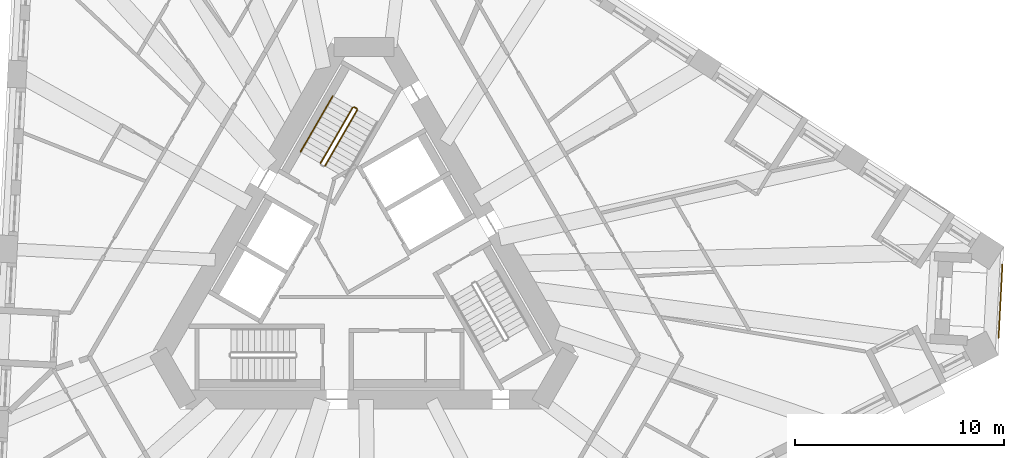
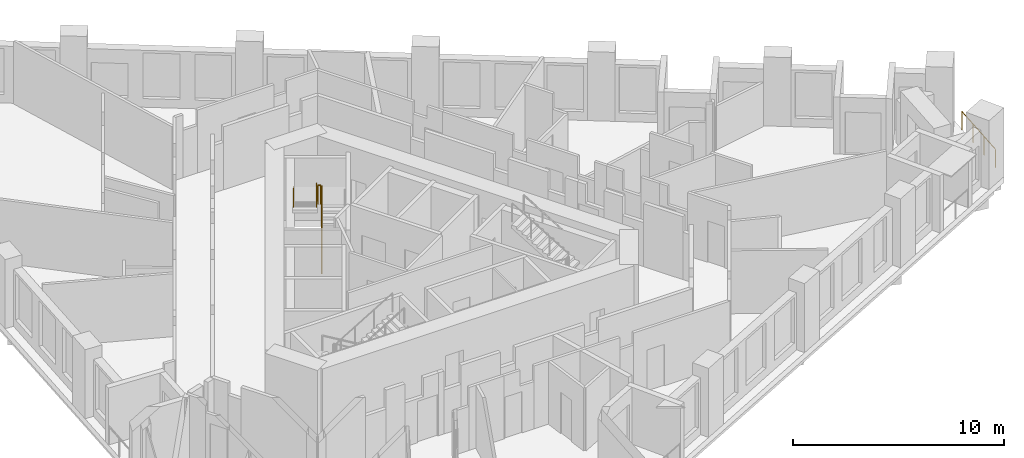
# One storey, part 12 of 13: 5 railings.
"""IFC4 building model written with IfcOpenShell, lengths in metres."""

from ifc_helpers import new_model, si_unit, direction, frame, origin, origin_2d, place, context, subcontext, project, spatial, circle, extrude, material, type_object, element, save


model = new_model("IFC4")

# Units and contexts
model_context = context("Model", 3, precision=1e-05, world=origin(), true_north=direction((0.0, 1.0)))
body_context = subcontext(model_context, "Body", "Model", "MODEL_VIEW")
ifc_project = project(units=[si_unit("LENGTHUNIT", "METRE"), si_unit("AREAUNIT", "SQUARE_METRE"), si_unit("VOLUMEUNIT", "CUBIC_METRE"), si_unit("PLANEANGLEUNIT", "RADIAN"), si_unit("MASSUNIT", "GRAM", prefix="KILO")], contexts=[model_context])

# Site, building, storey
site_placement = place(None, origin())
site = spatial("IfcSite", under=ifc_project, at=site_placement, CompositionType="ELEMENT")
building_placement = place(site_placement, origin())
building = spatial("IfcBuilding", under=site, at=building_placement, Name="Tramontana Tower", CompositionType="ELEMENT")
storey_placement = place(building_placement, frame((0.0, 0.0, 145.60009765625)))
storey = spatial("IfcBuildingStorey", under=building, at=storey_placement, Name="L33", CompositionType="ELEMENT", Elevation=145.60009765625)

# Railings
ifc_material_1 = material(Name="Laminated glass balustrade", Category="glass")
railing_type_1 = type_object("IfcRailingType", Name="GD1 Loggia glass balustrade 1100", PredefinedType="BALUSTRADE", material=ifc_material_1)
railing_1_placement = place(storey_placement, frame((30.519775390625, 0.15283203125, 0.0)))
element("IfcRailing", 1, at=railing_1_placement, inside=storey, type_object=railing_type_1, Name="Corner loggia balustrade L33 K32", PredefinedType="BALUSTRADE", context=body_context, shape_type="SweptSolid", body=[
    extrude(circle(Radius=0.02392578125, at=origin_2d()), frame((0.0, 0.0, 1.076171875), z_axis=(-0.052317189757, -0.998630518088, 0.0), x_axis=(0.998630518088, -0.052317189757, 0.0)), (0.0, 0.0, 1.0), 3.5),
    extrude(circle(Radius=0.02099609375, at=origin_2d()), origin(), (0.0, 0.0, 1.0), 1.052001953125),
    extrude(circle(Radius=0.02099609375, at=origin_2d()), frame((-0.06103515625, -1.1650390625, 0.0)), (0.0, 0.0, 1.0), 1.052001953125),
    extrude(circle(Radius=0.02099609375, at=origin_2d()), frame((-0.1220703125, -2.330078125, 0.0)), (0.0, 0.0, 1.0), 1.052001953125),
    extrude(circle(Radius=0.02099609375, at=origin_2d()), frame((-0.18310546875, -3.4951171875, 0.0)), (0.0, 0.0, 1.0), 1.052001953125),
])
ifc_material_2 = material(Name="Painted steel", Category="steel")
railing_type_2 = type_object("IfcRailingType", Name="STAIR GUARD 1100", PredefinedType="GUARDRAIL", material=ifc_material_2)
railing_2_placement = place(storey_placement, frame((-1.867431640625, 4.865478515625, 0.16650390625)))
element("IfcRailing", 2, at=railing_2_placement, inside=storey, type_object=railing_type_2, Name="L33 ST1 stair guard 1", PredefinedType="GUARDRAIL", context=body_context, shape_type="SweptSolid", body=[
    extrude(circle(Radius=0.02392578125, at=origin_2d()), frame((0.0, 0.0, 1.076171875), z_axis=(0.429634447492, 0.7441639146, 0.511502013422), x_axis=(-0.866029832698, 0.499992328818, 0.0)), (0.0, 0.0, 1.0), 3.58447265625),
    extrude(circle(Radius=0.02099609375, at=origin_2d()), origin(), (0.0, 0.0, 1.0), 1.052001953125),
    extrude(circle(Radius=0.02099609375, at=origin_2d()), frame((0.513427734375, 0.88916015625, 0.611083984375)), (0.0, 0.0, 1.0), 1.052001953125),
    extrude(circle(Radius=0.02099609375, at=origin_2d()), frame((1.026611328125, 1.7783203125, 1.222412109375)), (0.0, 0.0, 1.0), 1.052001953125),
    extrude(circle(Radius=0.02099609375, at=origin_2d()), frame((1.5400390625, 2.66748046875, 1.83349609375)), (0.0, 0.0, 1.0), 1.052001953125),
])
railing_3_placement = place(storey_placement, frame((-0.5439453125, 7.657958984375, 2.16650390625)))
element("IfcRailing", 3, at=railing_3_placement, inside=storey, type_object=railing_type_2, Name="L33 ST1 stair guard 2", PredefinedType="GUARDRAIL", context=body_context, shape_type="SweptSolid", body=[
    extrude(circle(Radius=0.02392578125, at=origin_2d()), frame((0.0, 0.0, 1.076171875), z_axis=(-0.429634447492, -0.7441639146, 0.511502013422), x_axis=(0.866029832698, -0.499992328818, 0.0)), (0.0, 0.0, 1.0), 3.58447265625),
    extrude(circle(Radius=0.02099609375, at=origin_2d()), origin(), (0.0, 0.0, 1.0), 1.052001953125),
    extrude(circle(Radius=0.02099609375, at=origin_2d()), frame((-0.513427734375, -0.88916015625, 0.611083984375)), (0.0, 0.0, 1.0), 1.052001953125),
    extrude(circle(Radius=0.02099609375, at=origin_2d()), frame((-1.026611328125, -1.7783203125, 1.222412109375)), (0.0, 0.0, 1.0), 1.052001953125),
    extrude(circle(Radius=0.02099609375, at=origin_2d()), frame((-1.5400390625, -2.66748046875, 1.83349609375)), (0.0, 0.0, 1.0), 1.052001953125),
])
railing_4_placement = place(storey_placement, frame((-0.345703125, 7.601318359375, 2.0)))
element("IfcRailing", 4, at=railing_4_placement, inside=storey, type_object=railing_type_2, Name="L33 ST1 stair guard 3", PredefinedType="GUARDRAIL", context=body_context, shape_type="SweptSolid", body=[
    extrude(circle(Radius=0.02392578125, at=origin_2d()), frame((0.0, 0.0, 1.076171875), z_axis=(-0.866131372301, 0.499816412211, 0.0), x_axis=(-0.499816412211, -0.866131372301, 0.0)), (0.0, 0.0, 1.0), 0.14990234375),
    extrude(circle(Radius=0.02099609375, at=origin_2d()), origin(), (0.0, 0.0, 1.0), 1.052001953125),
    extrude(circle(Radius=0.02099609375, at=origin_2d()), frame((-0.1298828125, 0.074951171875, 0.0)), (0.0, 0.0, 1.0), 1.052001953125),
])
ifc_material_3 = material(Name="Painted steel", Category="steel")
railing_type_3 = type_object("IfcRailingType", Name="STAIR HANDRAIL 900", PredefinedType="HANDRAIL", material=ifc_material_3)
railing_5_placement = place(storey_placement, frame((-1.49658203125, 8.2080078125, 2.16650390625)))
element("IfcRailing", 5, at=railing_5_placement, inside=storey, type_object=railing_type_3, Name="L33 ST1 stair handrail 2", PredefinedType="HANDRAIL", context=body_context, shape_type="SweptSolid", body=[
    extrude(circle(Radius=0.02392578125, at=origin_2d()), frame((0.0, 0.0, 0.8759765625), z_axis=(-0.429634447492, -0.7441639146, 0.511502013422), x_axis=(0.866029832698, -0.499992328818, 0.0)), (0.0, 0.0, 1.0), 3.58447265625),
    extrude(circle(Radius=0.02099609375, at=origin_2d()), origin(), (0.0, 0.0, 1.0), 0.851806640625),
    extrude(circle(Radius=0.02099609375, at=origin_2d()), frame((-0.513427734375, -0.88916015625, 0.611083984375)), (0.0, 0.0, 1.0), 0.851806640625),
    extrude(circle(Radius=0.02099609375, at=origin_2d()), frame((-1.026611328125, -1.7783203125, 1.222412109375)), (0.0, 0.0, 1.0), 0.851806640625),
    extrude(circle(Radius=0.02099609375, at=origin_2d()), frame((-1.5400390625, -2.66748046875, 1.83349609375)), (0.0, 0.0, 1.0), 0.851806640625),
])

save(model, "model.ifc")
